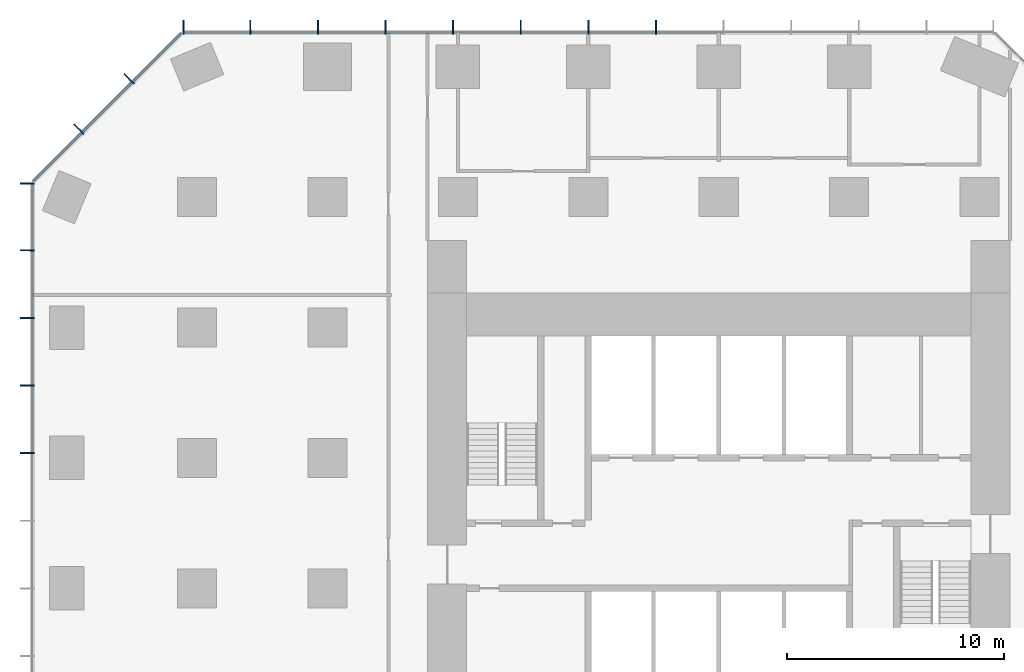
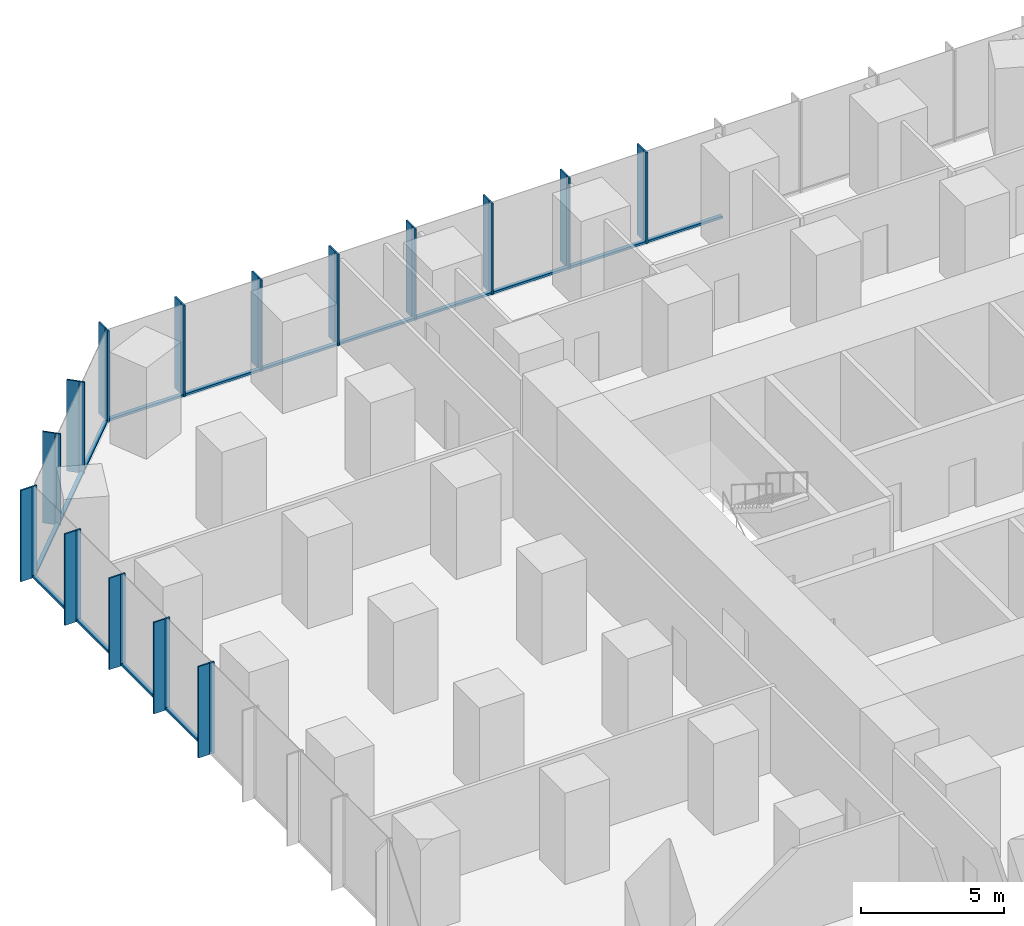
# One storey, part 5 of 11: 45 members, 3 elements without a shape of their own.
"""IFC4 building model written with IfcOpenShell, lengths in metres."""

import ifcopenshell
import ifcopenshell.guid

model = None  # the IFC model being written
_history = None  # IfcOwnerHistory: only IFC2X3 demands one
_inside = {}  # id of a spatial element -> (the spatial element, [elements in it])
_under = {}  # id of a project, library or spatial element -> (it, [spatial elements below it])
_declared = {}  # id of a project -> (the project, [libraries it declares])
_typed = {}  # id of a type object -> (the type object, [elements of that type])
_made_of = {}  # id of a material, layer set ... -> (it, [elements and type objects made of it])


def new_model(schema):
    """Start an empty IFC model of exactly this schema.

    Asked for "IFC4X3", IfcOpenShell would pick the latest addendum, in which some entities
    have other attributes; the version numbers below select the first issue.
    IFC2X3 requires an IfcOwnerHistory on every rooted entity: one is made here for all.
    """
    global model, _history
    if schema == "IFC4X3":
        model = ifcopenshell.file(schema_version=(4, 3, 0, 0))
    else:
        model = ifcopenshell.file(schema=schema)
    _inside.clear()
    _under.clear()
    _declared.clear()
    _typed.clear()
    _made_of.clear()
    _history = None
    if model.schema == "IFC2X3":
        org = make("IfcOrganization", Name="unknown")
        user = make(
            "IfcPersonAndOrganization",
            ThePerson=make("IfcPerson", FamilyName="unknown"),
            TheOrganization=org,
        )
        app = make(
            "IfcApplication",
            ApplicationDeveloper=org,
            Version="unknown",
            ApplicationFullName="unknown",
            ApplicationIdentifier="unknown",
        )
        _history = make(
            "IfcOwnerHistory",
            OwningUser=user,
            OwningApplication=app,
            ChangeAction="ADDED",
            CreationDate=0,
        )
    return model


def make(cls, **values):
    """One entity of the class cls with the attributes given. An attribute that is None is left unset."""
    return model.create_entity(
        cls, **{name: value for name, value in values.items() if value is not None}
    )


def rooted(cls, **values):
    """An entity with a GlobalId (a new one), such as an element, a storey or a relation."""
    return make(cls, GlobalId=ifcopenshell.guid.new(), OwnerHistory=_history, **values)


def si_unit(unit_type, name, prefix=None):
    """IfcSIUnit, for example si_unit("LENGTHUNIT", "METRE", prefix="MILLI")."""
    return make("IfcSIUnit", UnitType=unit_type, Prefix=prefix, Name=name)


def assignment(units):
    """IfcUnitAssignment: the units of a project."""
    return None if units is None else make("IfcUnitAssignment", Units=units)


def point(xyz):
    """IfcCartesianPoint."""
    return None if xyz is None else make("IfcCartesianPoint", Coordinates=xyz)


def direction(xyz):
    """IfcDirection."""
    return None if xyz is None else make("IfcDirection", DirectionRatios=xyz)


def frame(location, z_axis=None, x_axis=None):
    """IfcAxis2Placement3D, a coordinate frame: its origin and axes. An axis left out is left unset."""
    return make(
        "IfcAxis2Placement3D",
        Location=point(location),
        Axis=direction(z_axis),
        RefDirection=direction(x_axis),
    )


def frame_2d(location, x_axis=None):
    """IfcAxis2Placement2D, a coordinate frame in the plane: its origin and x axis."""
    return make(
        "IfcAxis2Placement2D", Location=point(location), RefDirection=direction(x_axis)
    )


def origin():
    """The frame at (0, 0, 0) with its axes left unset."""
    return frame((0.0, 0.0, 0.0))


def origin_2d():
    """The frame at (0, 0) in the plane with its x axis left unset."""
    return frame_2d((0.0, 0.0))


def place(relative_to, where):
    """IfcLocalPlacement: puts the frame where relative to a parent placement (None: the world)."""
    return make(
        "IfcLocalPlacement", PlacementRelTo=relative_to, RelativePlacement=where
    )


def context(
    kind, dimensions, precision=None, world=None, true_north=None, identifier=None
):
    """IfcGeometricRepresentationContext, for example the 3D "Model" context."""
    return make(
        "IfcGeometricRepresentationContext",
        ContextIdentifier=identifier,
        ContextType=kind,
        CoordinateSpaceDimension=dimensions,
        Precision=precision,
        WorldCoordinateSystem=world,
        TrueNorth=true_north,
    )


def subcontext(parent, identifier, kind, view, scale=None):
    """IfcGeometricRepresentationSubContext, for example "Body" below "Model"."""
    return make(
        "IfcGeometricRepresentationSubContext",
        ContextIdentifier=identifier,
        ContextType=kind,
        ParentContext=parent,
        TargetScale=scale,
        TargetView=view,
    )


def project(units=None, contexts=None):
    """IfcProject with its units and contexts."""
    return rooted(
        "IfcProject",
        Name="project",
        RepresentationContexts=contexts,
        UnitsInContext=assignment(units),
    )


def spatial(cls, under=None, at=None, **own):
    """A site, building, storey or space (cls), placed at a placement, below another one or the project."""
    s = rooted(cls, ObjectPlacement=at, **own)
    if under is not None:
        _under.setdefault(under.id(), (under, []))[1].append(s)
    return s


def profile(cls, at=None, kind="AREA", **sizes):
    """A parametric profile (cls). Its sizes go by their IFC names, for example OverallWidth=200.0."""
    return make(cls, ProfileType=kind, Position=at, **sizes)


def rectangle(**sizes):
    """IfcRectangleProfileDef."""
    return profile("IfcRectangleProfileDef", **sizes)


def extrude(swept, where, along, depth):
    """IfcExtrudedAreaSolid: the profile swept, set in the frame where, extruded along a direction by depth."""
    return make(
        "IfcExtrudedAreaSolid",
        SweptArea=swept,
        Position=where,
        ExtrudedDirection=direction(along),
        Depth=depth,
    )


def shape(context_of_items, identifier, shape_type, items):
    """IfcShapeRepresentation: the items that make up one representation, for example the "Body"."""
    return make(
        "IfcShapeRepresentation",
        ContextOfItems=context_of_items,
        RepresentationIdentifier=identifier,
        RepresentationType=shape_type,
        Items=items,
    )


def material(Name=None, Category=None):
    """IfcMaterial."""
    return make("IfcMaterial", Name=Name, Category=Category)


def layer(
    of_material, thickness, ventilated=None, Name=None, Category=None, Priority=None
):
    """IfcMaterialLayer: one layer of a wall or slab, of a material (None: an air gap)."""
    return make(
        "IfcMaterialLayer",
        Material=of_material,
        LayerThickness=thickness,
        IsVentilated=ventilated,
        Name=Name,
        Category=Category,
        Priority=Priority,
    )


def layer_set(layers, Name=None):
    """IfcMaterialLayerSet."""
    return make("IfcMaterialLayerSet", MaterialLayers=layers, LayerSetName=Name)


def material_profile(
    of_material, cross_section, Name=None, Category=None, Priority=None
):
    """IfcMaterialProfile: a cross section and its material."""
    return make(
        "IfcMaterialProfile",
        Name=Name,
        Material=of_material,
        Profile=cross_section,
        Priority=Priority,
        Category=Category,
    )


def profile_set(profiles, Name=None, composite=None):
    """IfcMaterialProfileSet."""
    return make(
        "IfcMaterialProfileSet",
        Name=Name,
        MaterialProfiles=profiles,
        CompositeProfile=composite,
    )


def made_of(thing, what):
    """Note that an element or type object is made of a material, layer set ...; save() writes the relation."""
    if what is not None:
        _made_of.setdefault(what.id(), (what, []))[1].append(thing)
    return thing


def type_object(cls, material=None, **own):
    """A type object (cls), such as IfcWallType, which elements share."""
    return made_of(rooted(cls, **own), material)


def element(
    cls,
    number,
    at=None,
    inside=None,
    cuts=None,
    type_object=None,
    material=None,
    context=None,
    identifier="Body",
    shape_type=None,
    held_by="IfcProductDefinitionShape",
    body=None,
    shapes=None,
    **own,
):
    """One element of the class cls, such as IfcWall. Its Tag is "e" and its number.

    at: its placement. inside: the storey or other place that contains it. cuts: it is an
    opening in that element (IfcRelVoidsElement). A single representation is given by context,
    identifier, shape_type and body (its items); several are given by shapes. held_by: the class
    of the entity that holds the representations. save() writes the other relations.
    """
    e = rooted(cls, Tag="e%d" % number, ObjectPlacement=at, **own)
    if body is not None:
        shapes = [shape(context, identifier, shape_type, body)]
    if shapes is not None:
        e.Representation = make(held_by, Representations=shapes)
    if inside is not None:
        _inside.setdefault(inside.id(), (inside, []))[1].append(e)
    if cuts is not None:
        rooted(
            "IfcRelVoidsElement", RelatingBuildingElement=cuts, RelatedOpeningElement=e
        )
    if type_object is not None:
        _typed.setdefault(type_object.id(), (type_object, []))[1].append(e)
    return made_of(e, material)


def aggregate(whole, parts):
    """IfcRelAggregates: a whole, such as a stair, and the parts it consists of."""
    return rooted("IfcRelAggregates", RelatingObject=whole, RelatedObjects=parts)


def save(model, path):
    """Write the relations noted so far, then the file.

    IfcRelAggregates (storeys below a building ...), IfcRelContainedInSpatialStructure (elements
    in a storey), IfcRelDefinesByType, IfcRelAssociatesMaterial and IfcRelDeclares: one each for
    every whole, place, type object, material and project.
    """
    for whole, parts in _under.values():
        aggregate(whole, parts)
    for where, things in _inside.values():
        rooted(
            "IfcRelContainedInSpatialStructure",
            RelatedElements=things,
            RelatingStructure=where,
        )
    for kind, things in _typed.values():
        rooted("IfcRelDefinesByType", RelatedObjects=things, RelatingType=kind)
    for what, things in _made_of.values():
        rooted("IfcRelAssociatesMaterial", RelatedObjects=things, RelatingMaterial=what)
    for by, libraries in _declared.values():
        rooted("IfcRelDeclares", RelatingContext=by, RelatedDefinitions=libraries)
    model.write(path)


model = new_model("IFC4")

# Units and contexts
model_context = context("Model", 3, precision=1e-05, world=origin(), true_north=direction((0.0, 1.0)))
body_context = subcontext(model_context, "Body", "Model", "MODEL_VIEW")
ifc_project = project(units=[si_unit("LENGTHUNIT", "METRE"), si_unit("AREAUNIT", "SQUARE_METRE"), si_unit("VOLUMEUNIT", "CUBIC_METRE"), si_unit("PLANEANGLEUNIT", "RADIAN"), si_unit("MASSUNIT", "GRAM", prefix="KILO")], contexts=[model_context])

# Site, building, storey
site_placement = place(None, origin())
site = spatial("IfcSite", under=ifc_project, at=site_placement, CompositionType="ELEMENT")
building_placement = place(site_placement, origin())
building = spatial("IfcBuilding", under=site, at=building_placement, Name="Highveld Stack Headquarters", CompositionType="ELEMENT")
storey_placement = place(building_placement, frame((0.0, 0.0, 33.800048828125)))
storey = spatial("IfcBuildingStorey", under=building, at=storey_placement, Name="L07", CompositionType="ELEMENT", Elevation=33.800048828125)

# Curtain wall, members
ifc_material_1 = material(Name="Aluminium bronze anodised", Category="aluminium")
ifc_layer_1 = layer(ifc_material_1, 0.199951171875)
ifc_layer_set_1 = layer_set([ifc_layer_1], Name="Aluminium bronze anodised")
curtain_wall_type_1 = type_object("IfcCurtainWallType", Name="CW1 TOWER UNITISED CURTAIN WALL", PredefinedType="NOTDEFINED", material=ifc_layer_set_1)
curtain_wall_1_placement = place(storey_placement, origin())
curtain_wall_1 = element("IfcCurtainWall", 1, at=curtain_wall_1_placement, inside=storey, type_object=curtain_wall_type_1, Name="Curtain wall CW1 L07 N", PredefinedType="NOTDEFINED")
ifc_material_2 = material(Name="Aluminium bronze anodised", Category="aluminium")
ifc_material_profile_1 = material_profile(ifc_material_2, rectangle(XDim=0.449951171875, YDim=0.06005859375, at=origin_2d()), Name="FIN 450x60")
ifc_profile_set_1 = profile_set([ifc_material_profile_1], Name="Aluminium bronze anodised")
member_type_1 = type_object("IfcMemberType", Name="CW1 BRONZE FIN 450x60", PredefinedType="USERDEFINED", material=ifc_profile_set_1)
member_1_placement = place(storey_placement, frame((3.110595703125, 25.925048828125, 0.0), z_axis=(0.0, 0.0, 1.0), x_axis=(0.0, -1.0, 0.0)))
member_1 = element("IfcMember", 2, at=member_1_placement, type_object=member_type_1, Name="CW1 fin L07 6", ObjectType="FIN", PredefinedType="USERDEFINED", context=body_context, shape_type="SweptSolid", body=[
    extrude(rectangle(XDim=0.449951171875, YDim=0.06005859375, at=origin_2d()), origin(), (0.0, 0.0, 1.0), 3.89990234375),
])
member_2_placement = place(storey_placement, frame((0.0, 25.925048828125, 0.0), z_axis=(0.0, 0.0, 1.0), x_axis=(0.0, -1.0, 0.0)))
member_2 = element("IfcMember", 3, at=member_2_placement, type_object=member_type_1, Name="CW1 fin L07 7", ObjectType="FIN", PredefinedType="USERDEFINED", context=body_context, shape_type="SweptSolid", body=[
    extrude(rectangle(XDim=0.449951171875, YDim=0.06005859375, at=origin_2d()), origin(), (0.0, 0.0, 1.0), 3.89990234375),
])
member_3_placement = place(storey_placement, frame((-3.110595703125, 25.925048828125, 0.0), z_axis=(0.0, 0.0, 1.0), x_axis=(0.0, -1.0, 0.0)))
member_3 = element("IfcMember", 4, at=member_3_placement, type_object=member_type_1, Name="CW1 fin L07 8", ObjectType="FIN", PredefinedType="USERDEFINED", context=body_context, shape_type="SweptSolid", body=[
    extrude(rectangle(XDim=0.449951171875, YDim=0.06005859375, at=origin_2d()), origin(), (0.0, 0.0, 1.0), 3.89990234375),
])
member_4_placement = place(storey_placement, frame((-6.220947265625, 25.925048828125, 0.0), z_axis=(0.0, 0.0, 1.0), x_axis=(0.0, -1.0, 0.0)))
member_4 = element("IfcMember", 5, at=member_4_placement, type_object=member_type_1, Name="CW1 fin L07 9", ObjectType="FIN", PredefinedType="USERDEFINED", context=body_context, shape_type="SweptSolid", body=[
    extrude(rectangle(XDim=0.449951171875, YDim=0.06005859375, at=origin_2d()), origin(), (0.0, 0.0, 1.0), 3.89990234375),
])
member_5_placement = place(storey_placement, frame((-9.331298828125, 25.925048828125, 0.0), z_axis=(0.0, 0.0, 1.0), x_axis=(0.0, -1.0, 0.0)))
member_5 = element("IfcMember", 6, at=member_5_placement, type_object=member_type_1, Name="CW1 fin L07 10", ObjectType="FIN", PredefinedType="USERDEFINED", context=body_context, shape_type="SweptSolid", body=[
    extrude(rectangle(XDim=0.449951171875, YDim=0.06005859375, at=origin_2d()), origin(), (0.0, 0.0, 1.0), 3.89990234375),
])
member_6_placement = place(storey_placement, frame((-12.44189453125, 25.925048828125, 0.0), z_axis=(0.0, 0.0, 1.0), x_axis=(0.0, -1.0, 0.0)))
member_6 = element("IfcMember", 7, at=member_6_placement, type_object=member_type_1, Name="CW1 fin L07 11", ObjectType="FIN", PredefinedType="USERDEFINED", context=body_context, shape_type="SweptSolid", body=[
    extrude(rectangle(XDim=0.449951171875, YDim=0.06005859375, at=origin_2d()), origin(), (0.0, 0.0, 1.0), 3.89990234375),
])
member_7_placement = place(storey_placement, frame((-15.55224609375, 25.925048828125, 0.0), z_axis=(0.0, 0.0, 1.0), x_axis=(0.0, -1.0, 0.0)))
member_7 = element("IfcMember", 8, at=member_7_placement, type_object=member_type_1, Name="CW1 fin L07 12", ObjectType="FIN", PredefinedType="USERDEFINED", context=body_context, shape_type="SweptSolid", body=[
    extrude(rectangle(XDim=0.449951171875, YDim=0.06005859375, at=origin_2d()), origin(), (0.0, 0.0, 1.0), 3.89990234375),
])
member_8_placement = place(storey_placement, frame((-18.630126953125, 25.925048828125, 0.0), z_axis=(0.0, 0.0, 1.0), x_axis=(0.0, -1.0, 0.0)))
member_8 = element("IfcMember", 9, at=member_8_placement, type_object=member_type_1, Name="CW1 fin L07 13", ObjectType="FIN", PredefinedType="USERDEFINED", context=body_context, shape_type="SweptSolid", body=[
    extrude(rectangle(XDim=0.449951171875, YDim=0.06005859375, at=origin_2d()), origin(), (0.0, 0.0, 1.0), 3.89990234375),
])

curtain_wall_2_placement = place(storey_placement, origin())
curtain_wall_2 = element("IfcCurtainWall", 10, at=curtain_wall_2_placement, inside=storey, type_object=curtain_wall_type_1, Name="Curtain wall CW1 L07 W", PredefinedType="NOTDEFINED")
member_9_placement = place(storey_placement, frame((-25.925048828125, 18.630126953125, 0.0), z_axis=(0.0, 0.0, 1.0), x_axis=(1.0, 0.0, 0.0)))
member_9 = element("IfcMember", 11, at=member_9_placement, type_object=member_type_1, Name="CW1 fin L07 1", ObjectType="FIN", PredefinedType="USERDEFINED", context=body_context, shape_type="SweptSolid", body=[
    extrude(rectangle(XDim=0.449951171875, YDim=0.06005859375, at=origin_2d()), origin(), (0.0, 0.0, 1.0), 3.89990234375),
])
member_10_placement = place(storey_placement, frame((-25.925048828125, 15.55224609375, 0.0), z_axis=(0.0, 0.0, 1.0), x_axis=(1.0, 0.0, 0.0)))
member_10 = element("IfcMember", 12, at=member_10_placement, type_object=member_type_1, Name="CW1 fin L07 2", ObjectType="FIN", PredefinedType="USERDEFINED", context=body_context, shape_type="SweptSolid", body=[
    extrude(rectangle(XDim=0.449951171875, YDim=0.06005859375, at=origin_2d()), origin(), (0.0, 0.0, 1.0), 3.89990234375),
])
member_11_placement = place(storey_placement, frame((-25.925048828125, 12.44189453125, 0.0), z_axis=(0.0, 0.0, 1.0), x_axis=(1.0, 0.0, 0.0)))
member_11 = element("IfcMember", 13, at=member_11_placement, type_object=member_type_1, Name="CW1 fin L07 3", ObjectType="FIN", PredefinedType="USERDEFINED", context=body_context, shape_type="SweptSolid", body=[
    extrude(rectangle(XDim=0.449951171875, YDim=0.06005859375, at=origin_2d()), origin(), (0.0, 0.0, 1.0), 3.89990234375),
])
member_12_placement = place(storey_placement, frame((-25.925048828125, 9.331298828125, 0.0), z_axis=(0.0, 0.0, 1.0), x_axis=(1.0, 0.0, 0.0)))
member_12 = element("IfcMember", 14, at=member_12_placement, type_object=member_type_1, Name="CW1 fin L07 4", ObjectType="FIN", PredefinedType="USERDEFINED", context=body_context, shape_type="SweptSolid", body=[
    extrude(rectangle(XDim=0.449951171875, YDim=0.06005859375, at=origin_2d()), origin(), (0.0, 0.0, 1.0), 3.89990234375),
])
member_13_placement = place(storey_placement, frame((-25.925048828125, 6.220947265625, 0.0), z_axis=(0.0, 0.0, 1.0), x_axis=(1.0, 0.0, 0.0)))
member_13 = element("IfcMember", 15, at=member_13_placement, type_object=member_type_1, Name="CW1 fin L07 5", ObjectType="FIN", PredefinedType="USERDEFINED", context=body_context, shape_type="SweptSolid", body=[
    extrude(rectangle(XDim=0.449951171875, YDim=0.06005859375, at=origin_2d()), origin(), (0.0, 0.0, 1.0), 3.89990234375),
])

# Member
ifc_material_3 = material(Name="Aluminium bronze anodised", Category="aluminium")
ifc_material_profile_2 = material_profile(ifc_material_3, rectangle(XDim=0.199951171875, YDim=0.06494140625, at=origin_2d()), Name="CW1 MULLION 65x200")
ifc_profile_set_2 = profile_set([ifc_material_profile_2], Name="Aluminium bronze anodised")
member_type_2 = type_object("IfcMemberType", Name="CW1 MULLION 65x200", PredefinedType="MULLION", material=ifc_profile_set_2)
member_14_placement = place(storey_placement, frame((3.110595703125, 25.60009765625, 0.0), z_axis=(0.0, 0.0, 1.0), x_axis=(0.0, -1.0, 0.0)))
member_14 = element("IfcMember", 16, at=member_14_placement, type_object=member_type_2, Name="CW1 mullion L07 6", PredefinedType="MULLION", context=body_context, shape_type="SweptSolid", body=[
    extrude(rectangle(XDim=0.199951171875, YDim=0.06494140625, at=origin_2d()), origin(), (0.0, 0.0, 1.0), 3.89990234375),
])

member_15_placement = place(storey_placement, frame((0.0, 25.60009765625, 0.0), z_axis=(0.0, 0.0, 1.0), x_axis=(0.0, -1.0, 0.0)))
member_15 = element("IfcMember", 17, at=member_15_placement, type_object=member_type_2, Name="CW1 mullion L07 7", PredefinedType="MULLION", context=body_context, shape_type="SweptSolid", body=[
    extrude(rectangle(XDim=0.199951171875, YDim=0.06494140625, at=origin_2d()), origin(), (0.0, 0.0, 1.0), 3.89990234375),
])

member_16_placement = place(storey_placement, frame((-3.110595703125, 25.60009765625, 0.0), z_axis=(0.0, 0.0, 1.0), x_axis=(0.0, -1.0, 0.0)))
member_16 = element("IfcMember", 18, at=member_16_placement, type_object=member_type_2, Name="CW1 mullion L07 8", PredefinedType="MULLION", context=body_context, shape_type="SweptSolid", body=[
    extrude(rectangle(XDim=0.199951171875, YDim=0.06494140625, at=origin_2d()), origin(), (0.0, 0.0, 1.0), 3.89990234375),
])

member_17_placement = place(storey_placement, frame((-6.220947265625, 25.60009765625, 0.0), z_axis=(0.0, 0.0, 1.0), x_axis=(0.0, -1.0, 0.0)))
member_17 = element("IfcMember", 19, at=member_17_placement, type_object=member_type_2, Name="CW1 mullion L07 9", PredefinedType="MULLION", context=body_context, shape_type="SweptSolid", body=[
    extrude(rectangle(XDim=0.199951171875, YDim=0.06494140625, at=origin_2d()), origin(), (0.0, 0.0, 1.0), 3.89990234375),
])

member_18_placement = place(storey_placement, frame((-9.331298828125, 25.60009765625, 0.0), z_axis=(0.0, 0.0, 1.0), x_axis=(0.0, -1.0, 0.0)))
member_18 = element("IfcMember", 20, at=member_18_placement, type_object=member_type_2, Name="CW1 mullion L07 10", PredefinedType="MULLION", context=body_context, shape_type="SweptSolid", body=[
    extrude(rectangle(XDim=0.199951171875, YDim=0.06494140625, at=origin_2d()), origin(), (0.0, 0.0, 1.0), 3.89990234375),
])

member_19_placement = place(storey_placement, frame((-12.44189453125, 25.60009765625, 0.0), z_axis=(0.0, 0.0, 1.0), x_axis=(0.0, -1.0, 0.0)))
member_19 = element("IfcMember", 21, at=member_19_placement, type_object=member_type_2, Name="CW1 mullion L07 11", PredefinedType="MULLION", context=body_context, shape_type="SweptSolid", body=[
    extrude(rectangle(XDim=0.199951171875, YDim=0.06494140625, at=origin_2d()), origin(), (0.0, 0.0, 1.0), 3.89990234375),
])

member_20_placement = place(storey_placement, frame((-15.55224609375, 25.60009765625, 0.0), z_axis=(0.0, 0.0, 1.0), x_axis=(0.0, -1.0, 0.0)))
member_20 = element("IfcMember", 22, at=member_20_placement, type_object=member_type_2, Name="CW1 mullion L07 12", PredefinedType="MULLION", context=body_context, shape_type="SweptSolid", body=[
    extrude(rectangle(XDim=0.199951171875, YDim=0.06494140625, at=origin_2d()), origin(), (0.0, 0.0, 1.0), 3.89990234375),
])

member_21_placement = place(storey_placement, frame((-18.630126953125, 25.60009765625, 0.0), z_axis=(0.0, 0.0, 1.0), x_axis=(0.0, -1.0, 0.0)))
member_21 = element("IfcMember", 23, at=member_21_placement, type_object=member_type_2, Name="CW1 mullion L07 13", PredefinedType="MULLION", context=body_context, shape_type="SweptSolid", body=[
    extrude(rectangle(XDim=0.199951171875, YDim=0.06494140625, at=origin_2d()), origin(), (0.0, 0.0, 1.0), 3.89990234375),
])

member_22_placement = place(storey_placement, frame((-25.60009765625, 18.630126953125, 0.0), z_axis=(0.0, 0.0, 1.0), x_axis=(1.0, 0.0, 0.0)))
member_22 = element("IfcMember", 24, at=member_22_placement, type_object=member_type_2, Name="CW1 mullion L07 1", PredefinedType="MULLION", context=body_context, shape_type="SweptSolid", body=[
    extrude(rectangle(XDim=0.199951171875, YDim=0.06494140625, at=origin_2d()), origin(), (0.0, 0.0, 1.0), 3.89990234375),
])

member_23_placement = place(storey_placement, frame((-25.60009765625, 15.55224609375, 0.0), z_axis=(0.0, 0.0, 1.0), x_axis=(1.0, 0.0, 0.0)))
member_23 = element("IfcMember", 25, at=member_23_placement, type_object=member_type_2, Name="CW1 mullion L07 2", PredefinedType="MULLION", context=body_context, shape_type="SweptSolid", body=[
    extrude(rectangle(XDim=0.199951171875, YDim=0.06494140625, at=origin_2d()), origin(), (0.0, 0.0, 1.0), 3.89990234375),
])

member_24_placement = place(storey_placement, frame((-25.60009765625, 12.44189453125, 0.0), z_axis=(0.0, 0.0, 1.0), x_axis=(1.0, 0.0, 0.0)))
member_24 = element("IfcMember", 26, at=member_24_placement, type_object=member_type_2, Name="CW1 mullion L07 3", PredefinedType="MULLION", context=body_context, shape_type="SweptSolid", body=[
    extrude(rectangle(XDim=0.199951171875, YDim=0.06494140625, at=origin_2d()), origin(), (0.0, 0.0, 1.0), 3.89990234375),
])

member_25_placement = place(storey_placement, frame((-25.60009765625, 9.331298828125, 0.0), z_axis=(0.0, 0.0, 1.0), x_axis=(1.0, 0.0, 0.0)))
member_25 = element("IfcMember", 27, at=member_25_placement, type_object=member_type_2, Name="CW1 mullion L07 4", PredefinedType="MULLION", context=body_context, shape_type="SweptSolid", body=[
    extrude(rectangle(XDim=0.199951171875, YDim=0.06494140625, at=origin_2d()), origin(), (0.0, 0.0, 1.0), 3.89990234375),
])

member_26_placement = place(storey_placement, frame((-25.60009765625, 6.220947265625, 0.0), z_axis=(0.0, 0.0, 1.0), x_axis=(1.0, 0.0, 0.0)))
member_26 = element("IfcMember", 28, at=member_26_placement, type_object=member_type_2, Name="CW1 mullion L07 5", PredefinedType="MULLION", context=body_context, shape_type="SweptSolid", body=[
    extrude(rectangle(XDim=0.199951171875, YDim=0.06494140625, at=origin_2d()), origin(), (0.0, 0.0, 1.0), 3.89990234375),
])

ifc_material_4 = material(Name="Aluminium bronze anodised", Category="aluminium")
ifc_material_profile_3 = material_profile(ifc_material_4, rectangle(XDim=0.14990234375, YDim=0.10009765625, at=origin_2d()), Name="CW1 TRANSOM 150x100")
ifc_profile_set_3 = profile_set([ifc_material_profile_3], Name="Aluminium bronze anodised")
member_type_3 = type_object("IfcMemberType", Name="CW1 STACK TRANSOM 150x100", PredefinedType="USERDEFINED", material=ifc_profile_set_3)
member_27_placement = place(storey_placement, frame((6.1884765625, 25.60009765625, 0.050048828125), z_axis=(-1.0, 0.0, 0.0), x_axis=(0.0, -1.0, 0.0)))
member_27 = element("IfcMember", 29, at=member_27_placement, type_object=member_type_3, Name="CW1 transom L07 5.1", ObjectType="TRANSOM", PredefinedType="USERDEFINED", context=body_context, shape_type="SweptSolid", body=[
    extrude(rectangle(XDim=0.14990234375, YDim=0.10009765625, at=origin_2d()), origin(), (0.0, 0.0, 1.0), 3.04541015625),
])

member_28_placement = place(storey_placement, frame((3.077880859375, 25.60009765625, 0.050048828125), z_axis=(-1.0, 0.0, 0.0), x_axis=(0.0, -1.0, 0.0)))
member_28 = element("IfcMember", 30, at=member_28_placement, type_object=member_type_3, Name="CW1 transom L07 6.1", ObjectType="TRANSOM", PredefinedType="USERDEFINED", context=body_context, shape_type="SweptSolid", body=[
    extrude(rectangle(XDim=0.14990234375, YDim=0.10009765625, at=origin_2d()), origin(), (0.0, 0.0, 1.0), 3.04541015625),
])

member_29_placement = place(storey_placement, frame((-0.032470703125, 25.60009765625, 0.050048828125), z_axis=(-1.0, 0.0, 0.0), x_axis=(0.0, -1.0, 0.0)))
member_29 = element("IfcMember", 31, at=member_29_placement, type_object=member_type_3, Name="CW1 transom L07 7.1", ObjectType="TRANSOM", PredefinedType="USERDEFINED", context=body_context, shape_type="SweptSolid", body=[
    extrude(rectangle(XDim=0.14990234375, YDim=0.10009765625, at=origin_2d()), origin(), (0.0, 0.0, 1.0), 3.04541015625),
])

member_30_placement = place(storey_placement, frame((-3.142822265625, 25.60009765625, 0.050048828125), z_axis=(-1.0, 0.0, 0.0), x_axis=(0.0, -1.0, 0.0)))
member_30 = element("IfcMember", 32, at=member_30_placement, type_object=member_type_3, Name="CW1 transom L07 8.1", ObjectType="TRANSOM", PredefinedType="USERDEFINED", context=body_context, shape_type="SweptSolid", body=[
    extrude(rectangle(XDim=0.14990234375, YDim=0.10009765625, at=origin_2d()), origin(), (0.0, 0.0, 1.0), 3.045654296875),
])

member_31_placement = place(storey_placement, frame((-6.25341796875, 25.60009765625, 0.050048828125), z_axis=(-1.0, 0.0, 0.0), x_axis=(0.0, -1.0, 0.0)))
member_31 = element("IfcMember", 33, at=member_31_placement, type_object=member_type_3, Name="CW1 transom L07 9.1", ObjectType="TRANSOM", PredefinedType="USERDEFINED", context=body_context, shape_type="SweptSolid", body=[
    extrude(rectangle(XDim=0.14990234375, YDim=0.10009765625, at=origin_2d()), origin(), (0.0, 0.0, 1.0), 3.04541015625),
])

member_32_placement = place(storey_placement, frame((-9.36376953125, 25.60009765625, 0.050048828125), z_axis=(-1.0, 0.0, 0.0), x_axis=(0.0, -1.0, 0.0)))
member_32 = element("IfcMember", 34, at=member_32_placement, type_object=member_type_3, Name="CW1 transom L07 10.1", ObjectType="TRANSOM", PredefinedType="USERDEFINED", context=body_context, shape_type="SweptSolid", body=[
    extrude(rectangle(XDim=0.14990234375, YDim=0.10009765625, at=origin_2d()), origin(), (0.0, 0.0, 1.0), 3.04541015625),
])

member_33_placement = place(storey_placement, frame((-12.474365234375, 25.60009765625, 0.050048828125), z_axis=(-1.0, 0.0, 0.0), x_axis=(0.0, -1.0, 0.0)))
member_33 = element("IfcMember", 35, at=member_33_placement, type_object=member_type_3, Name="CW1 transom L07 11.1", ObjectType="TRANSOM", PredefinedType="USERDEFINED", context=body_context, shape_type="SweptSolid", body=[
    extrude(rectangle(XDim=0.14990234375, YDim=0.10009765625, at=origin_2d()), origin(), (0.0, 0.0, 1.0), 3.04541015625),
])

member_34_placement = place(storey_placement, frame((-15.584716796875, 25.60009765625, 0.050048828125), z_axis=(-1.0, 0.0, 0.0), x_axis=(0.0, -1.0, 0.0)))
member_34 = element("IfcMember", 36, at=member_34_placement, type_object=member_type_3, Name="CW1 transom L07 12.1", ObjectType="TRANSOM", PredefinedType="USERDEFINED", context=body_context, shape_type="SweptSolid", body=[
    extrude(rectangle(XDim=0.14990234375, YDim=0.10009765625, at=origin_2d()), origin(), (0.0, 0.0, 1.0), 3.012939453125),
])

aggregate(curtain_wall_1, [member_14, member_1, member_15, member_2, member_16, member_3, member_17, member_4, member_18, member_5, member_19, member_6, member_20, member_7, member_21, member_8, member_27, member_28, member_29, member_30, member_31, member_32, member_33, member_34])

member_35_placement = place(storey_placement, frame((-25.60009765625, 18.59765625, 0.050048828125), z_axis=(0.0, -1.0, 0.0), x_axis=(1.0, 0.0, 0.0)))
member_35 = element("IfcMember", 37, at=member_35_placement, type_object=member_type_3, Name="CW1 transom L07 1.1", ObjectType="TRANSOM", PredefinedType="USERDEFINED", context=body_context, shape_type="SweptSolid", body=[
    extrude(rectangle(XDim=0.14990234375, YDim=0.10009765625, at=origin_2d()), origin(), (0.0, 0.0, 1.0), 3.012939453125),
])

member_36_placement = place(storey_placement, frame((-25.60009765625, 15.519775390625, 0.050048828125), z_axis=(0.0, -1.0, 0.0), x_axis=(1.0, 0.0, 0.0)))
member_36 = element("IfcMember", 38, at=member_36_placement, type_object=member_type_3, Name="CW1 transom L07 2.1", ObjectType="TRANSOM", PredefinedType="USERDEFINED", context=body_context, shape_type="SweptSolid", body=[
    extrude(rectangle(XDim=0.14990234375, YDim=0.10009765625, at=origin_2d()), origin(), (0.0, 0.0, 1.0), 3.04541015625),
])

member_37_placement = place(storey_placement, frame((-25.60009765625, 12.4091796875, 0.050048828125), z_axis=(0.0, -1.0, 0.0), x_axis=(1.0, 0.0, 0.0)))
member_37 = element("IfcMember", 39, at=member_37_placement, type_object=member_type_3, Name="CW1 transom L07 3.1", ObjectType="TRANSOM", PredefinedType="USERDEFINED", context=body_context, shape_type="SweptSolid", body=[
    extrude(rectangle(XDim=0.14990234375, YDim=0.10009765625, at=origin_2d()), origin(), (0.0, 0.0, 1.0), 3.045166015625),
])

member_38_placement = place(storey_placement, frame((-25.60009765625, 9.298828125, 0.050048828125), z_axis=(0.0, -1.0, 0.0), x_axis=(1.0, 0.0, 0.0)))
member_38 = element("IfcMember", 40, at=member_38_placement, type_object=member_type_3, Name="CW1 transom L07 4.1", ObjectType="TRANSOM", PredefinedType="USERDEFINED", context=body_context, shape_type="SweptSolid", body=[
    extrude(rectangle(XDim=0.14990234375, YDim=0.10009765625, at=origin_2d()), origin(), (0.0, 0.0, 1.0), 3.04541015625),
])

aggregate(curtain_wall_2, [member_22, member_9, member_23, member_10, member_24, member_11, member_25, member_12, member_26, member_13, member_35, member_36, member_37, member_38])

# Curtain wall, members
ifc_material_5 = material(Name="Aluminium bronze anodised", Category="aluminium")
ifc_layer_2 = layer(ifc_material_5, 0.199951171875)
ifc_layer_set_2 = layer_set([ifc_layer_2], Name="Aluminium bronze anodised")
curtain_wall_type_2 = type_object("IfcCurtainWallType", Name="CW2 TOWER CHAMFER UNITISED CURTAIN WALL", PredefinedType="NOTDEFINED", material=ifc_layer_set_2)
curtain_wall_3_placement = place(storey_placement, origin())
curtain_wall_3 = element("IfcCurtainWall", 41, at=curtain_wall_3_placement, inside=storey, type_object=curtain_wall_type_2, Name="Curtain wall CW2 L07 NW", PredefinedType="NOTDEFINED")
ifc_material_6 = material(Name="Aluminium bronze anodised", Category="aluminium")
ifc_material_profile_4 = material_profile(ifc_material_6, rectangle(XDim=0.449951171875, YDim=0.06005859375, at=origin_2d()), Name="FIN 450x60")
ifc_profile_set_4 = profile_set([ifc_material_profile_4], Name="Aluminium bronze anodised")
member_type_4 = type_object("IfcMemberType", Name="CW2 BRONZE FIN 450x60", PredefinedType="USERDEFINED", material=ifc_profile_set_4)
member_39_placement = place(storey_placement, frame((-21.204833984375, 23.517333984375, 0.0), z_axis=(0.0, 0.0, 1.0), x_axis=(0.707106781187, -0.707106781187, 0.0)))
member_39 = element("IfcMember", 42, at=member_39_placement, type_object=member_type_4, Name="CW2 fin L07 1", ObjectType="FIN", PredefinedType="USERDEFINED", context=body_context, shape_type="SweptSolid", body=[
    extrude(rectangle(XDim=0.449951171875, YDim=0.06005859375, at=origin_2d()), origin(), (0.0, 0.0, 1.0), 3.89990234375),
])
member_40_placement = place(storey_placement, frame((-23.517333984375, 21.204833984375, 0.0), z_axis=(0.0, 0.0, 1.0), x_axis=(0.707106781187, -0.707106781187, 0.0)))
member_40 = element("IfcMember", 43, at=member_40_placement, type_object=member_type_4, Name="CW2 fin L07 2", ObjectType="FIN", PredefinedType="USERDEFINED", context=body_context, shape_type="SweptSolid", body=[
    extrude(rectangle(XDim=0.449951171875, YDim=0.06005859375, at=origin_2d()), origin(), (0.0, 0.0, 1.0), 3.89990234375),
])
ifc_material_7 = material(Name="Aluminium bronze anodised", Category="aluminium")
ifc_material_profile_5 = material_profile(ifc_material_7, rectangle(XDim=0.199951171875, YDim=0.06494140625, at=origin_2d()), Name="CW2 MULLION 65x200")
ifc_profile_set_5 = profile_set([ifc_material_profile_5], Name="Aluminium bronze anodised")
member_type_5 = type_object("IfcMemberType", Name="CW2 MULLION 65x200", PredefinedType="MULLION", material=ifc_profile_set_5)
member_41_placement = place(storey_placement, frame((-20.97509765625, 23.28759765625, 0.0), z_axis=(0.0, 0.0, 1.0), x_axis=(0.707106781187, -0.707106781187, 0.0)))
member_41 = element("IfcMember", 44, at=member_41_placement, type_object=member_type_5, Name="CW2 mullion L07 1", PredefinedType="MULLION", context=body_context, shape_type="SweptSolid", body=[
    extrude(rectangle(XDim=0.199951171875, YDim=0.06494140625, at=origin_2d()), origin(), (0.0, 0.0, 1.0), 3.89990234375),
])
member_42_placement = place(storey_placement, frame((-23.28759765625, 20.97509765625, 0.0), z_axis=(0.0, 0.0, 1.0), x_axis=(0.707106781187, -0.707106781187, 0.0)))
member_42 = element("IfcMember", 45, at=member_42_placement, type_object=member_type_5, Name="CW2 mullion L07 2", PredefinedType="MULLION", context=body_context, shape_type="SweptSolid", body=[
    extrude(rectangle(XDim=0.199951171875, YDim=0.06494140625, at=origin_2d()), origin(), (0.0, 0.0, 1.0), 3.89990234375),
])
ifc_material_8 = material(Name="Aluminium bronze anodised", Category="aluminium")
ifc_material_profile_6 = material_profile(ifc_material_8, rectangle(XDim=0.14990234375, YDim=0.10009765625, at=origin_2d()), Name="CW2 TRANSOM 150x100")
ifc_profile_set_6 = profile_set([ifc_material_profile_6], Name="Aluminium bronze anodised")
member_type_6 = type_object("IfcMemberType", Name="CW2 STACK TRANSOM 150x100", PredefinedType="USERDEFINED", material=ifc_profile_set_6)
member_43_placement = place(storey_placement, frame((-18.7333984375, 25.529296875, 0.050048828125), z_axis=(-0.707106781187, -0.707106781187, 0.0), x_axis=(0.707106781187, -0.707106781187, 0.0)))
member_43 = element("IfcMember", 46, at=member_43_placement, type_object=member_type_6, Name="CW2 transom L07 1.1", ObjectType="TRANSOM", PredefinedType="USERDEFINED", context=body_context, shape_type="SweptSolid", body=[
    extrude(rectangle(XDim=0.14990234375, YDim=0.10009765625, at=origin_2d()), origin(), (0.0, 0.0, 1.0), 3.1376953125),
])
member_44_placement = place(storey_placement, frame((-20.998046875, 23.2646484375, 0.050048828125), z_axis=(-0.707106781187, -0.707106781187, 0.0), x_axis=(0.707106781187, -0.707106781187, 0.0)))
member_44 = element("IfcMember", 47, at=member_44_placement, type_object=member_type_6, Name="CW2 transom L07 2.1", ObjectType="TRANSOM", PredefinedType="USERDEFINED", context=body_context, shape_type="SweptSolid", body=[
    extrude(rectangle(XDim=0.14990234375, YDim=0.10009765625, at=origin_2d()), origin(), (0.0, 0.0, 1.0), 3.20556640625),
])
member_45_placement = place(storey_placement, frame((-23.310546875, 20.9521484375, 0.050048828125), z_axis=(-0.707106781187, -0.707106781187, 0.0), x_axis=(0.707106781187, -0.707106781187, 0.0)))
member_45 = element("IfcMember", 48, at=member_45_placement, type_object=member_type_6, Name="CW2 transom L07 3.1", ObjectType="TRANSOM", PredefinedType="USERDEFINED", context=body_context, shape_type="SweptSolid", body=[
    extrude(rectangle(XDim=0.14990234375, YDim=0.10009765625, at=origin_2d()), origin(), (0.0, 0.0, 1.0), 3.1376953125),
])
aggregate(curtain_wall_3, [member_41, member_39, member_42, member_40, member_43, member_44, member_45])

save(model, "model.ifc")
